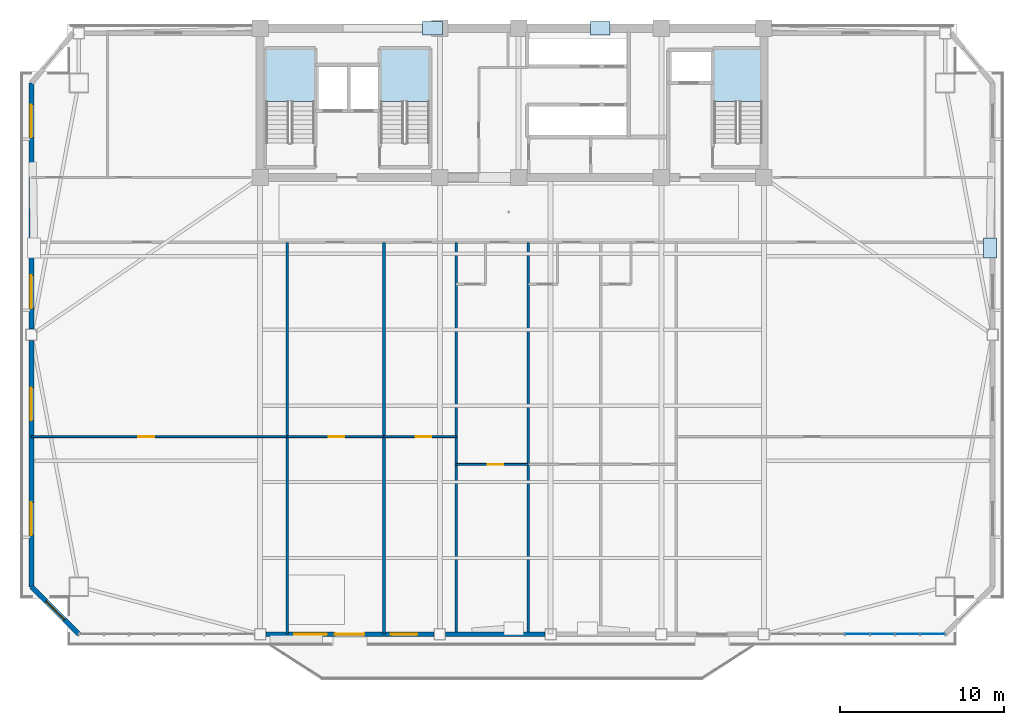
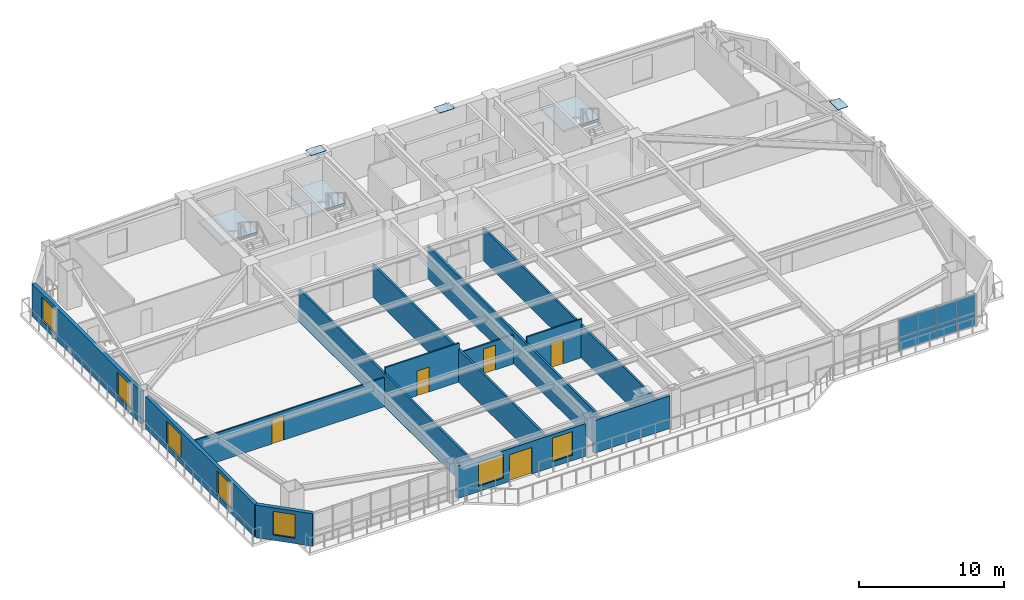
# One storey, part 7 of 15: 13 walls, 11 plates, 7 windows, 5 doors, 3 slabs, 12 openings, 4 elements without a shape of their own.
"""IFC4 building model written with IfcOpenShell, lengths in metres."""

from ifc_helpers import new_model, si_unit, direction, frame, frame_2d, origin, origin_2d, place, context, subcontext, project, spatial, polyline, rectangle, outline, extrude, source, transform, mapped, material, layer, layer_set, type_object, element, fill, aggregate, save


model = new_model("IFC4")

# Units and contexts
model_context = context("Model", 3, precision=1e-05, world=origin(), true_north=direction((0.0, 1.0)))
body_context = subcontext(model_context, "Body", "Model", "MODEL_VIEW")
ifc_project = project(units=[si_unit("LENGTHUNIT", "METRE"), si_unit("AREAUNIT", "SQUARE_METRE"), si_unit("VOLUMEUNIT", "CUBIC_METRE"), si_unit("PLANEANGLEUNIT", "RADIAN"), si_unit("MASSUNIT", "GRAM", prefix="KILO")], contexts=[model_context])

# Site, building, storey
site_placement = place(None, origin())
site = spatial("IfcSite", under=ifc_project, at=site_placement, CompositionType="ELEMENT")
building_placement = place(site_placement, origin())
building = spatial("IfcBuilding", under=site, at=building_placement, Name="Giltprow Tower", CompositionType="ELEMENT")
storey_placement = place(building_placement, frame((0.0, 0.0, 173.699951171875)))
storey = spatial("IfcBuildingStorey", under=building, at=storey_placement, Name="L43", CompositionType="ELEMENT", Elevation=173.699951171875)

# Stair, slab
ifc_material_1 = material(Name="Concrete C40", Category="concrete")
stair_type_1 = type_object("IfcStairType", Name="STR-ST-1", PredefinedType="HALF_TURN_STAIR", material=ifc_material_1)
stair_1_placement = place(storey_placement, origin())
stair_1 = element("IfcStair", 1, at=stair_1_placement, inside=storey, type_object=stair_type_1, Name="L43 Core Exit Stair ST-1", PredefinedType="HALF_TURN_STAIR")
ifc_layer_1 = layer(ifc_material_1, 0.179931640625, Name="Concrete C40")
ifc_layer_set_1 = layer_set([ifc_layer_1], Name="Concrete C40")
slab_type_1 = type_object("IfcSlabType", Name="SLD-ST-1", PredefinedType="LANDING", material=ifc_layer_set_1)
slab_1_placement = place(storey_placement, frame((0.0, 0.0, 1.570068359375)))
slab_1 = element("IfcSlab", 2, at=slab_1_placement, type_object=slab_type_1, Name="ST-1 landing 1", PredefinedType="LANDING", context=body_context, shape_type="SweptSolid", body=[
    extrude(outline(polyline([(23.159912109375, 42.070068359375), (23.159912109375, 45.25), (20.199951171875, 45.25), (20.199951171875, 42.070068359375), (23.159912109375, 42.070068359375)])), origin(), (0.0, 0.0, 1.0), 0.179931640625),
])
aggregate(stair_1, [slab_1])

stair_type_2 = type_object("IfcStairType", Name="STR-ST-2", PredefinedType="HALF_TURN_STAIR", material=ifc_material_1)
stair_2_placement = place(storey_placement, origin())
stair_2 = element("IfcStair", 3, at=stair_2_placement, inside=storey, type_object=stair_type_2, Name="L43 Core Exit Stair ST-2", PredefinedType="HALF_TURN_STAIR")
ifc_layer_2 = layer(ifc_material_1, 0.18798828125, Name="Concrete C40")
ifc_layer_set_2 = layer_set([ifc_layer_2], Name="Concrete C40")
slab_type_2 = type_object("IfcSlabType", Name="SLD-ST-2", PredefinedType="LANDING", material=ifc_layer_set_2)
slab_2_placement = place(storey_placement, frame((0.0, 0.0, 1.56201171875)))
slab_2 = element("IfcSlab", 4, at=slab_2_placement, type_object=slab_type_2, Name="ST-2 landing 1", PredefinedType="LANDING", context=body_context, shape_type="SweptSolid", body=[
    extrude(outline(polyline([(30.159912109375, 42.070068359375), (30.159912109375, 45.25), (27.199951171875, 45.25), (27.199951171875, 42.070068359375), (30.159912109375, 42.070068359375)])), origin(), (0.0, 0.0, 1.0), 0.18798828125),
])
aggregate(stair_2, [slab_2])

stair_type_3 = type_object("IfcStairType", Name="STR-ST-3", PredefinedType="HALF_TURN_STAIR", material=ifc_material_1)
stair_3_placement = place(storey_placement, origin())
stair_3 = element("IfcStair", 5, at=stair_3_placement, inside=storey, type_object=stair_type_3, Name="L43 Core Exit Stair ST-3", PredefinedType="HALF_TURN_STAIR")
ifc_layer_3 = layer(ifc_material_1, 0.196044921875, Name="Concrete C40")
ifc_layer_set_3 = layer_set([ifc_layer_3], Name="Concrete C40")
slab_type_3 = type_object("IfcSlabType", Name="SLD-ST-3", PredefinedType="LANDING", material=ifc_layer_set_3)
slab_3_placement = place(storey_placement, frame((0.0, 0.0, 1.553955078125)))
slab_3 = element("IfcSlab", 6, at=slab_3_placement, type_object=slab_type_3, Name="ST-3 landing 1", PredefinedType="LANDING", context=body_context, shape_type="SweptSolid", body=[
    extrude(outline(polyline([(50.4599609375, 42.070068359375), (50.4599609375, 45.25), (47.5, 45.25), (47.5, 42.070068359375), (50.4599609375, 42.070068359375)])), origin(), (0.0, 0.0, 1.0), 0.196044921875),
])
aggregate(stair_3, [slab_3])

# Plates
ifc_material_2 = material(Name="Structural steel Q420GJC", Category="steel")
plate_type_1 = type_object("IfcPlateType", Name="PLT-CAP-SEAL", PredefinedType="USERDEFINED", material=ifc_material_2)
shared_shape_1 = source(origin(), body_context, "Body", "SweptSolid", [
    extrude(rectangle(XDim=1.199951171875, YDim=0.800048828125, at=origin_2d()), origin(), (0.0, 0.0, 1.0), 0.034912109375),
])
for number, where, z_axis, x_axis, name in (
    (7, (30.35009765625, 46.550048828125, 3.3427734375), (0.0, 0.0, 1.0), (1.0, 0.0, 0.0), "Mega-Brace Node L43-N-LB"),
    (8, (40.5830078125, 46.550048828125, 3.3427734375), (0.0, 0.0, 1.0), (1.0, 0.0, 0.0), "Mega-Brace Node L43-N-RB"),
    (9, (64.324951171875, 33.156005859375, 3.482421875), (0.0, 0.0, 1.0), (0.0, 1.0, 0.0), "Mega-Brace Node L43-E-RB"),
):
    element("IfcPlate", number, at=place(storey_placement, frame(where, z_axis=z_axis, x_axis=x_axis)), inside=storey, type_object=plate_type_1, Name=name, ObjectType="SPLICE", PredefinedType="USERDEFINED", context=body_context, shape_type="MappedRepresentation", body=[
        mapped(shared_shape_1, transform((0.0, 0.0, 0.0), x_axis=(1.0, 0.0, 0.0), y_axis=(0.0, 1.0, 0.0), z_axis=(0.0, 0.0, 1.0), scale=1.0)),
    ])

# Curtain wall, plates
ifc_material_3 = material(Name="Anodized bronze", Category="metal")
ifc_layer_4 = layer(ifc_material_3, 0.179931640625, Name="Anodized bronze")
ifc_layer_set_4 = layer_set([ifc_layer_4], Name="Anodized bronze")
curtain_wall_type = type_object("IfcCurtainWallType", Name="CW-HTL-BRONZE", PredefinedType="NOTDEFINED", material=ifc_layer_set_4)
curtain_wall_placement = place(storey_placement, origin())
curtain_wall = element("IfcCurtainWall", 10, at=curtain_wall_placement, inside=storey, type_object=curtain_wall_type, Name="L43 South Recessed Curtain Wall 6", PredefinedType="NOTDEFINED")
ifc_material_4 = material(Name="Insulated glass", Category="glass")
plate_type_2 = type_object("IfcPlateType", Name="CW-PANEL-IGU-28", PredefinedType="CURTAIN_PANEL", material=ifc_material_4)
shared_shape_2 = source(origin(), body_context, "Body", "SweptSolid", [
    extrude(rectangle(XDim=1.498046875, YDim=0.028076171875, at=origin_2d()), origin(), (0.0, 0.0, 1.0), 1.0869140625),
])
plate_1_placement = place(storey_placement, frame((56.2470703125, 9.6259765625, 0.0546875), z_axis=(0.0, 0.0, 1.0), x_axis=(1.0, 0.0, 0.0)))
plate_1 = element("IfcPlate", 11, at=plate_1_placement, type_object=plate_type_2, Name="L43 South Recessed Curtain Wall 6 Glazing Panel 4-1", PredefinedType="CURTAIN_PANEL", context=body_context, shape_type="MappedRepresentation", body=[
    mapped(shared_shape_2, transform((0.0, 0.0, 0.0), x_axis=(1.0, 0.0, 0.0), y_axis=(0.0, 1.0, 0.0), z_axis=(0.0, 0.0, 1.0), scale=1.0)),
])
plate_2_placement = place(storey_placement, frame((57.77490234375, 9.6259765625, 0.0546875), z_axis=(0.0, 0.0, 1.0), x_axis=(1.0, 0.0, 0.0)))
plate_2 = element("IfcPlate", 12, at=plate_2_placement, type_object=plate_type_2, Name="L43 South Recessed Curtain Wall 6 Glazing Panel 5-1", PredefinedType="CURTAIN_PANEL", context=body_context, shape_type="MappedRepresentation", body=[
    mapped(shared_shape_2, transform((0.0, 0.0, 0.0), x_axis=(1.0, 0.0, 0.0), y_axis=(0.0, 1.0, 0.0), z_axis=(0.0, 0.0, 1.0), scale=1.0)),
])
plate_3_placement = place(storey_placement, frame((59.302001953125, 9.6259765625, 0.0546875), z_axis=(0.0, 0.0, 1.0), x_axis=(1.0, 0.0, 0.0)))
plate_3 = element("IfcPlate", 13, at=plate_3_placement, type_object=plate_type_2, Name="L43 South Recessed Curtain Wall 6 Glazing Panel 6-1", PredefinedType="CURTAIN_PANEL", context=body_context, shape_type="MappedRepresentation", body=[
    mapped(shared_shape_2, transform((0.0, 0.0, 0.0), x_axis=(1.0, 0.0, 0.0), y_axis=(0.0, 1.0, 0.0), z_axis=(0.0, 0.0, 1.0), scale=1.0)),
])
plate_4_placement = place(storey_placement, frame((60.830078125, 9.6259765625, 0.0546875), z_axis=(0.0, 0.0, 1.0), x_axis=(1.0, 0.0, 0.0)))
plate_4 = element("IfcPlate", 14, at=plate_4_placement, type_object=plate_type_2, Name="L43 South Recessed Curtain Wall 6 Glazing Panel 7-1", PredefinedType="CURTAIN_PANEL", context=body_context, shape_type="MappedRepresentation", body=[
    mapped(shared_shape_2, transform((0.0, 0.0, 0.0), x_axis=(1.0, 0.0, 0.0), y_axis=(0.0, 1.0, 0.0), z_axis=(0.0, 0.0, 1.0), scale=1.0)),
])
shared_shape_3 = source(origin(), body_context, "Body", "SweptSolid", [
    extrude(rectangle(XDim=1.498046875, YDim=0.028076171875, at=origin_2d()), origin(), (0.0, 0.0, 1.0), 1.527099609375),
])
plate_5_placement = place(storey_placement, frame((56.2470703125, 9.6259765625, 1.16845703125), z_axis=(0.0, 0.0, 1.0), x_axis=(1.0, 0.0, 0.0)))
plate_5 = element("IfcPlate", 15, at=plate_5_placement, type_object=plate_type_2, Name="L43 South Recessed Curtain Wall 6 Glazing Panel 4-2", PredefinedType="CURTAIN_PANEL", context=body_context, shape_type="MappedRepresentation", body=[
    mapped(shared_shape_3, transform((0.0, 0.0, 0.0), x_axis=(1.0, 0.0, 0.0), y_axis=(0.0, 1.0, 0.0), z_axis=(0.0, 0.0, 1.0), scale=1.0)),
])
plate_6_placement = place(storey_placement, frame((57.77490234375, 9.6259765625, 1.16845703125), z_axis=(0.0, 0.0, 1.0), x_axis=(1.0, 0.0, 0.0)))
plate_6 = element("IfcPlate", 16, at=plate_6_placement, type_object=plate_type_2, Name="L43 South Recessed Curtain Wall 6 Glazing Panel 5-2", PredefinedType="CURTAIN_PANEL", context=body_context, shape_type="MappedRepresentation", body=[
    mapped(shared_shape_3, transform((0.0, 0.0, 0.0), x_axis=(1.0, 0.0, 0.0), y_axis=(0.0, 1.0, 0.0), z_axis=(0.0, 0.0, 1.0), scale=1.0)),
])
plate_7_placement = place(storey_placement, frame((59.302001953125, 9.6259765625, 1.16845703125), z_axis=(0.0, 0.0, 1.0), x_axis=(1.0, 0.0, 0.0)))
plate_7 = element("IfcPlate", 17, at=plate_7_placement, type_object=plate_type_2, Name="L43 South Recessed Curtain Wall 6 Glazing Panel 6-2", PredefinedType="CURTAIN_PANEL", context=body_context, shape_type="MappedRepresentation", body=[
    mapped(shared_shape_3, transform((0.0, 0.0, 0.0), x_axis=(1.0, 0.0, 0.0), y_axis=(0.0, 1.0, 0.0), z_axis=(0.0, 0.0, 1.0), scale=1.0)),
])
plate_8_placement = place(storey_placement, frame((60.830078125, 9.6259765625, 1.16845703125), z_axis=(0.0, 0.0, 1.0), x_axis=(1.0, 0.0, 0.0)))
plate_8 = element("IfcPlate", 18, at=plate_8_placement, type_object=plate_type_2, Name="L43 South Recessed Curtain Wall 6 Glazing Panel 7-2", PredefinedType="CURTAIN_PANEL", context=body_context, shape_type="MappedRepresentation", body=[
    mapped(shared_shape_3, transform((0.0, 0.0, 0.0), x_axis=(1.0, 0.0, 0.0), y_axis=(0.0, 1.0, 0.0), z_axis=(0.0, 0.0, 1.0), scale=1.0)),
])
aggregate(curtain_wall, [plate_1, plate_5, plate_2, plate_6, plate_3, plate_7, plate_4, plate_8])

# Wall, opening, window
ifc_material_5 = material(Name="Precast concrete C40", Category="concrete")
ifc_layer_5 = layer(ifc_material_5, 0.300048828125, Name="Precast concrete C40")
ifc_layer_set_5 = layer_set([ifc_layer_5], Name="Precast concrete C40")
wall_type_1 = type_object("IfcWallType", Name="EW-NOTCH-CHAMFER-300", PredefinedType="SOLIDWALL", material=ifc_layer_set_5)
wall_1_placement = place(storey_placement, frame((5.9189453125, 12.512939453125, 0.0), z_axis=(0.0, 0.0, 1.0), x_axis=(0.707106781187, -0.707106781187, 0.0)))
wall_1 = element("IfcWall", 19, at=wall_1_placement, inside=storey, type_object=wall_type_1, Name="L43 Corner Notch Wall SW", PredefinedType="SOLIDWALL", context=body_context, shape_type="SweptSolid", body=[
    extrude(rectangle(XDim=4.082763671875, YDim=0.300048828125, at=frame_2d((2.04150390625, 0.0))), origin(), (0.0, 0.0, 1.0), 2.75),
])
opening_1_placement = place(wall_1_placement, frame((1.240966796875, 0.0, 0.449951171875)))
opening_1 = element("IfcOpeningElement", 20, at=opening_1_placement, cuts=wall_1, Name="Opening WN17", PredefinedType="OPENING", context=body_context, shape_type="SweptSolid", body=[
    extrude(rectangle(XDim=1.60009765625, YDim=2.0, at=frame_2d((0.800048828125, 1.0))), frame((0.0, 0.159912109375, 0.0), z_axis=(0.0, -1.0, 0.0), x_axis=(1.0, 0.0, 0.0)), (0.0, 0.0, 1.0), 0.320068359375),
])
window_type_1 = type_object("IfcWindowType", Name="WN-COR-1600x2000", PartitioningType="SINGLE_PANEL", PredefinedType="WINDOW", material=ifc_material_4)
shared_shape_4 = source(origin(), body_context, "Body", "SweptSolid", [
    extrude(rectangle(XDim=1.60009765625, YDim=2.0, at=frame_2d((0.800048828125, 1.0))), frame((0.0, 0.030029296875, 0.0), z_axis=(0.0, -1.0, 0.0), x_axis=(1.0, 0.0, 0.0)), (0.0, 0.0, 1.0), 0.06005859375),
])
window_1_placement = place(opening_1_placement, origin())
window_1 = element("IfcWindow", 21, at=window_1_placement, inside=storey, type_object=window_type_1, Name="L43 Corner Notch Window SW", OverallHeight=2.0, OverallWidth=1.60009765625, PartitioningType="SINGLE_PANEL", PredefinedType="WINDOW", context=body_context, shape_type="MappedRepresentation", body=[
    mapped(shared_shape_4, transform((0.0, 0.0, 0.0), x_axis=(1.0, 0.0, 0.0), y_axis=(0.0, 1.0, 0.0), z_axis=(0.0, 0.0, 1.0), scale=1.0)),
])
fill(opening_1, window_1)

# Wall, openings, windows, door
ifc_layer_6 = layer(ifc_material_5, 0.280029296875, Name="Precast concrete C40")
ifc_layer_set_6 = layer_set([ifc_layer_6], Name="Precast concrete C40")
wall_type_2 = type_object("IfcWallType", Name="EW-TOW-BRONZE-280", PredefinedType="SOLIDWALL", material=ifc_layer_set_6)
wall_2_placement = place(storey_placement, frame((20.199951171875, 9.6259765625, 0.0), z_axis=(0.0, 0.0, 1.0), x_axis=(1.0, 0.0, 0.0)))
wall_2 = element("IfcWall", 22, at=wall_2_placement, inside=storey, type_object=wall_type_2, Name="L43 South Expressed Frame Wall 2", PredefinedType="SOLIDWALL", context=body_context, shape_type="SweptSolid", body=[
    extrude(rectangle(XDim=10.25, YDim=0.280029296875, at=frame_2d((5.125, 0.0))), origin(), (0.0, 0.0, 1.0), 2.75),
])
opening_2_placement = place(wall_2_placement, frame((4.199951171875, 0.0, 0.0)))
opening_2 = element("IfcOpeningElement", 23, at=opening_2_placement, cuts=wall_2, Name="Opening ED25", PredefinedType="OPENING", context=body_context, shape_type="SweptSolid", body=[
    extrude(rectangle(XDim=1.800048828125, YDim=2.25, at=frame_2d((0.89990234375, 1.125))), frame((0.0, 0.14990234375, 0.0), z_axis=(0.0, -1.0, 0.0), x_axis=(1.0, 0.0, 0.0)), (0.0, 0.0, 1.0), 0.300048828125),
])
opening_3_placement = place(wall_2_placement, frame((1.719970703125, 0.0, 0.449951171875)))
opening_3 = element("IfcOpeningElement", 24, at=opening_3_placement, cuts=wall_2, Name="Opening WN21", PredefinedType="OPENING", context=body_context, shape_type="SweptSolid", body=[
    extrude(rectangle(XDim=2.0, YDim=2.0, at=frame_2d((1.0, 1.0))), frame((0.0, 0.14990234375, 0.0), z_axis=(0.0, -1.0, 0.0), x_axis=(1.0, 0.0, 0.0)), (0.0, 0.0, 1.0), 0.300048828125),
])
opening_4_placement = place(wall_2_placement, frame((7.6201171875, 0.0, 0.449951171875)))
opening_4 = element("IfcOpeningElement", 25, at=opening_4_placement, cuts=wall_2, Name="Opening WN17", PredefinedType="OPENING", context=body_context, shape_type="SweptSolid", body=[
    extrude(rectangle(XDim=1.60009765625, YDim=2.0, at=frame_2d((0.800048828125, 1.0))), frame((0.0, 0.14990234375, 0.0), z_axis=(0.0, -1.0, 0.0), x_axis=(1.0, 0.0, 0.0)), (0.0, 0.0, 1.0), 0.300048828125),
])
window_2_placement = place(opening_4_placement, origin())
window_2 = element("IfcWindow", 26, at=window_2_placement, inside=storey, type_object=window_type_1, Name="L43 South Window 2B", OverallHeight=2.0, OverallWidth=1.60009765625, PartitioningType="SINGLE_PANEL", PredefinedType="WINDOW", context=body_context, shape_type="MappedRepresentation", body=[
    mapped(shared_shape_4, transform((0.0, 0.0, 0.0), x_axis=(1.0, 0.0, 0.0), y_axis=(0.0, 1.0, 0.0), z_axis=(0.0, 0.0, 1.0), scale=1.0)),
])
fill(opening_4, window_2)
ifc_material_6 = material(Name="Anodized bronze and glass", Category="glass")
door_type_1 = type_object("IfcDoorType", Name="DR-BALC-SLIDE-1800", OperationType="SLIDING_TO_LEFT", PredefinedType="DOOR", material=ifc_material_6)
shared_shape_5 = source(origin(), body_context, "Body", "SweptSolid", [
    extrude(rectangle(XDim=1.800048828125, YDim=2.25, at=frame_2d((0.89990234375, 1.125))), frame((0.0, 0.02490234375, 0.0), z_axis=(0.0, -1.0, 0.0), x_axis=(1.0, 0.0, 0.0)), (0.0, 0.0, 1.0), 0.050048828125),
])
door_1_placement = place(opening_2_placement, origin())
door_1 = element("IfcDoor", 27, at=door_1_placement, inside=storey, type_object=door_type_1, Name="L43 Waterfront Balcony Sliding Door 1", OperationType="SLIDING_TO_LEFT", OverallHeight=2.25, OverallWidth=1.800048828125, PredefinedType="DOOR", context=body_context, shape_type="MappedRepresentation", body=[
    mapped(shared_shape_5, transform((0.0, 0.0, 0.0), x_axis=(1.0, 0.0, 0.0), y_axis=(0.0, 1.0, 0.0), z_axis=(0.0, 0.0, 1.0), scale=1.0)),
])
fill(opening_2, door_1)
window_type_2 = type_object("IfcWindowType", Name="WN-HTL-2000x2000", PartitioningType="DOUBLE_PANEL_VERTICAL", PredefinedType="WINDOW", material=ifc_material_4)
shared_shape_6 = source(origin(), body_context, "Body", "SweptSolid", [
    extrude(rectangle(XDim=2.0, YDim=2.0, at=frame_2d((1.0, 1.0))), frame((0.0, 0.030029296875, 0.0), z_axis=(0.0, -1.0, 0.0), x_axis=(1.0, 0.0, 0.0)), (0.0, 0.0, 1.0), 0.06005859375),
])
window_3_placement = place(opening_3_placement, origin())
window_3 = element("IfcWindow", 28, at=window_3_placement, inside=storey, type_object=window_type_2, Name="L43 South Window 2A", OverallHeight=2.0, OverallWidth=2.0, PartitioningType="SINGLE_PANEL", PredefinedType="WINDOW", context=body_context, shape_type="MappedRepresentation", body=[
    mapped(shared_shape_6, transform((0.0, 0.0, 0.0), x_axis=(1.0, 0.0, 0.0), y_axis=(0.0, 1.0, 0.0), z_axis=(0.0, 0.0, 1.0), scale=1.0)),
])
fill(opening_3, window_3)

# Wall
wall_3_placement = place(storey_placement, frame((31.14990234375, 9.6259765625, 0.0), z_axis=(0.0, 0.0, 1.0), x_axis=(1.0, 0.0, 0.0)))
element("IfcWall", 29, at=wall_3_placement, inside=storey, type_object=wall_type_2, Name="L43 South Expressed Frame Wall 3", PredefinedType="SOLIDWALL", context=body_context, shape_type="SweptSolid", body=[
    extrude(rectangle(XDim=6.050048828125, YDim=0.280029296875, at=frame_2d((3.02490234375, 0.0))), origin(), (0.0, 0.0, 1.0), 2.75),
])

# Wall, openings, windows
wall_4_placement = place(storey_placement, frame((5.9189453125, 12.512939453125, 0.0), z_axis=(0.0, 0.0, 1.0), x_axis=(0.0, 1.0, 0.0)))
wall_4 = element("IfcWall", 30, at=wall_4_placement, inside=storey, type_object=wall_type_2, Name="L43 W Wing Masonry Wall 1", PredefinedType="SOLIDWALL", context=body_context, shape_type="SweptSolid", body=[
    extrude(rectangle(XDim=15.0, YDim=0.280029296875, at=frame_2d((7.5, 0.0))), origin(), (0.0, 0.0, 1.0), 2.75),
])
opening_5_placement = place(wall_4_placement, frame((3.139892578125, 0.0, 0.449951171875)))
opening_5 = element("IfcOpeningElement", 31, at=opening_5_placement, cuts=wall_4, Name="Opening WN21", PredefinedType="OPENING", context=body_context, shape_type="SweptSolid", body=[
    extrude(rectangle(XDim=2.0, YDim=2.0, at=frame_2d((1.0, 1.0))), frame((0.0, 0.14990234375, 0.0), z_axis=(0.0, -1.0, 0.0), x_axis=(1.0, 0.0, 0.0)), (0.0, 0.0, 1.0), 0.300048828125),
])
opening_6_placement = place(wall_4_placement, frame((10.139892578125, 0.0, 0.449951171875)))
opening_6 = element("IfcOpeningElement", 32, at=opening_6_placement, cuts=wall_4, Name="Opening WN21", PredefinedType="OPENING", context=body_context, shape_type="SweptSolid", body=[
    extrude(rectangle(XDim=2.0, YDim=2.0, at=frame_2d((1.0, 1.0))), frame((0.0, 0.14990234375, 0.0), z_axis=(0.0, -1.0, 0.0), x_axis=(1.0, 0.0, 0.0)), (0.0, 0.0, 1.0), 0.300048828125),
])
window_4_placement = place(opening_5_placement, origin())
window_4 = element("IfcWindow", 33, at=window_4_placement, inside=storey, type_object=window_type_2, Name="L43 W Wing Window 1-1A", OverallHeight=2.0, OverallWidth=2.0, PartitioningType="SINGLE_PANEL", PredefinedType="WINDOW", context=body_context, shape_type="MappedRepresentation", body=[
    mapped(shared_shape_6, transform((0.0, 0.0, 0.0), x_axis=(1.0, 0.0, 0.0), y_axis=(0.0, 1.0, 0.0), z_axis=(0.0, 0.0, 1.0), scale=1.0)),
])
fill(opening_5, window_4)
window_5_placement = place(opening_6_placement, origin())
window_5 = element("IfcWindow", 34, at=window_5_placement, inside=storey, type_object=window_type_2, Name="L43 W Wing Window 1-1B", OverallHeight=2.0, OverallWidth=2.0, PartitioningType="SINGLE_PANEL", PredefinedType="WINDOW", context=body_context, shape_type="MappedRepresentation", body=[
    mapped(shared_shape_6, transform((0.0, 0.0, 0.0), x_axis=(1.0, 0.0, 0.0), y_axis=(0.0, 1.0, 0.0), z_axis=(0.0, 0.0, 1.0), scale=1.0)),
])
fill(opening_6, window_5)

wall_5_placement = place(storey_placement, frame((5.9189453125, 28.212890625, 0.0), z_axis=(0.0, 0.0, 1.0), x_axis=(0.0, 1.0, 0.0)))
wall_5 = element("IfcWall", 35, at=wall_5_placement, inside=storey, type_object=wall_type_2, Name="L43 W Wing Masonry Wall 2", PredefinedType="SOLIDWALL", context=body_context, shape_type="SweptSolid", body=[
    extrude(rectangle(XDim=15.0, YDim=0.280029296875, at=frame_2d((7.5, 0.0))), origin(), (0.0, 0.0, 1.0), 2.75),
])
opening_7_placement = place(wall_5_placement, frame((1.27099609375, 0.0, 0.449951171875)))
opening_7 = element("IfcOpeningElement", 36, at=opening_7_placement, cuts=wall_5, Name="Opening WN21", PredefinedType="OPENING", context=body_context, shape_type="SweptSolid", body=[
    extrude(rectangle(XDim=2.0, YDim=2.0, at=frame_2d((1.0, 1.0))), frame((0.0, 0.14990234375, 0.0), z_axis=(0.0, -1.0, 0.0), x_axis=(1.0, 0.0, 0.0)), (0.0, 0.0, 1.0), 0.300048828125),
])
opening_8_placement = place(wall_5_placement, frame((11.68505859375, 0.0, 0.449951171875)))
opening_8 = element("IfcOpeningElement", 37, at=opening_8_placement, cuts=wall_5, Name="Opening WN21", PredefinedType="OPENING", context=body_context, shape_type="SweptSolid", body=[
    extrude(rectangle(XDim=2.0, YDim=2.0, at=frame_2d((1.0, 1.0))), frame((0.0, 0.14990234375, 0.0), z_axis=(0.0, -1.0, 0.0), x_axis=(1.0, 0.0, 0.0)), (0.0, 0.0, 1.0), 0.300048828125),
])
window_6_placement = place(opening_7_placement, origin())
window_6 = element("IfcWindow", 38, at=window_6_placement, inside=storey, type_object=window_type_2, Name="L43 W Wing Window 2-1", OverallHeight=2.0, OverallWidth=2.0, PartitioningType="SINGLE_PANEL", PredefinedType="WINDOW", context=body_context, shape_type="MappedRepresentation", body=[
    mapped(shared_shape_6, transform((0.0, 0.0, 0.0), x_axis=(1.0, 0.0, 0.0), y_axis=(0.0, 1.0, 0.0), z_axis=(0.0, 0.0, 1.0), scale=1.0)),
])
fill(opening_7, window_6)
window_7_placement = place(opening_8_placement, origin())
window_7 = element("IfcWindow", 39, at=window_7_placement, inside=storey, type_object=window_type_2, Name="L43 W Wing Window 2-2", OverallHeight=2.0, OverallWidth=2.0, PartitioningType="SINGLE_PANEL", PredefinedType="WINDOW", context=body_context, shape_type="MappedRepresentation", body=[
    mapped(shared_shape_6, transform((0.0, 0.0, 0.0), x_axis=(1.0, 0.0, 0.0), y_axis=(0.0, 1.0, 0.0), z_axis=(0.0, 0.0, 1.0), scale=1.0)),
])
fill(opening_8, window_7)

# Walls
ifc_material_7 = material(Name="Gypsum stud partition", Category="gypsum")
ifc_layer_7 = layer(ifc_material_7, 0.159912109375, Name="Gypsum stud partition")
ifc_layer_set_7 = layer_set([ifc_layer_7], Name="Gypsum stud partition")
wall_type_3 = type_object("IfcWallType", Name="IW-DEMISE-160", PredefinedType="PARTITIONING", material=ifc_layer_set_7)
for number, where, z_axis, x_axis, name in (
    (40, (21.5, 9.6259765625, 0.0), (0.0, 0.0, 1.0), (0.0, 1.0, 0.0), "L43 Hotel Demising Wall 1"),
    (41, (27.39990234375, 9.6259765625, 0.0), (0.0, 0.0, 1.0), (0.0, 1.0, 0.0), "L43 Hotel Demising Wall 2"),
    (42, (31.800048828125, 9.6259765625, 0.0), (0.0, 0.0, 1.0), (0.0, 1.0, 0.0), "L43 Hotel Demising Wall 3"),
    (43, (36.199951171875, 9.6259765625, 0.0), (0.0, 0.0, 1.0), (0.0, 1.0, 0.0), "L43 Hotel Demising Wall 4"),
):
    element("IfcWall", number, at=place(storey_placement, frame(where, z_axis=z_axis, x_axis=x_axis)), inside=storey, type_object=wall_type_3, Name=name, PredefinedType="PARTITIONING", context=body_context, shape_type="SweptSolid", body=[
        extrude(rectangle(XDim=23.8740234375, YDim=0.159912109375, at=frame_2d((11.93701171875, 0.0))), origin(), (0.0, 0.0, 1.0), 2.755126953125),
    ])

# Wall, opening, door
ifc_layer_8 = layer(ifc_material_7, 0.1201171875, Name="Gypsum stud partition")
ifc_layer_set_8 = layer_set([ifc_layer_8], Name="Gypsum stud partition")
wall_type_4 = type_object("IfcWallType", Name="IW-ROOM-120", PredefinedType="PARTITIONING", material=ifc_layer_set_8)
wall_6_placement = place(storey_placement, frame((5.9189453125, 21.6630859375, 0.0), z_axis=(0.0, 0.0, 1.0), x_axis=(1.0, 0.0, 0.0)))
wall_6 = element("IfcWall", 44, at=wall_6_placement, inside=storey, type_object=wall_type_4, Name="L43 Amenity Mid Wall 1", PredefinedType="PARTITIONING", context=body_context, shape_type="SweptSolid", body=[
    extrude(rectangle(XDim=15.5810546875, YDim=0.1201171875, at=frame_2d((7.79052734375, 0.0))), origin(), (0.0, 0.0, 1.0), 2.455078125),
])
opening_9_placement = place(wall_6_placement, frame((6.51806640625, 0.0, 0.0)))
opening_9 = element("IfcOpeningElement", 45, at=opening_9_placement, cuts=wall_6, Name="Opening ID11", PredefinedType="OPENING", context=body_context, shape_type="SweptSolid", body=[
    extrude(rectangle(XDim=0.949951171875, YDim=2.10009765625, at=frame_2d((0.47509765625, 1.050048828125))), frame((0.0, 0.070068359375, 0.0), z_axis=(0.0, -1.0, 0.0), x_axis=(1.0, 0.0, 0.0)), (0.0, 0.0, 1.0), 0.14013671875),
])
ifc_material_8 = material(Name="Engineered timber", Category="wood")
door_type_2 = type_object("IfcDoorType", Name="DR-ROOM-950", OperationType="SINGLE_SWING_RIGHT", PredefinedType="DOOR", material=ifc_material_8)
shared_shape_7 = source(origin(), body_context, "Body", "SweptSolid", [
    extrude(rectangle(XDim=0.949951171875, YDim=2.10009765625, at=frame_2d((0.47509765625, 1.050048828125))), frame((0.0, 0.02490234375, 0.0), z_axis=(0.0, -1.0, 0.0), x_axis=(1.0, 0.0, 0.0)), (0.0, 0.0, 1.0), 0.050048828125),
])
door_2_placement = place(opening_9_placement, origin())
door_2 = element("IfcDoor", 46, at=door_2_placement, inside=storey, type_object=door_type_2, Name="L43 Diplomatic Meeting Room 1 Inner Door", OperationType="SINGLE_SWING_RIGHT", OverallHeight=2.10009765625, OverallWidth=0.949951171875, PredefinedType="DOOR", context=body_context, shape_type="MappedRepresentation", body=[
    mapped(shared_shape_7, transform((0.0, 0.0, 0.0), x_axis=(1.0, 0.0, 0.0), y_axis=(0.0, 1.0, 0.0), z_axis=(0.0, 0.0, 1.0), scale=1.0)),
])
fill(opening_9, door_2)

wall_7_placement = place(storey_placement, frame((21.5, 21.6630859375, 0.0), z_axis=(0.0, 0.0, 1.0), x_axis=(1.0, 0.0, 0.0)))
wall_7 = element("IfcWall", 47, at=wall_7_placement, inside=storey, type_object=wall_type_4, Name="L43 Amenity Mid Wall 2", PredefinedType="PARTITIONING", context=body_context, shape_type="SweptSolid", body=[
    extrude(rectangle(XDim=5.89990234375, YDim=0.1201171875, at=frame_2d((2.949951171875, 0.0))), origin(), (0.0, 0.0, 1.0), 3.27001953125),
])
opening_10_placement = place(wall_7_placement, frame((2.52587890625, 0.0, 0.0)))
opening_10 = element("IfcOpeningElement", 48, at=opening_10_placement, cuts=wall_7, Name="Opening ID11", PredefinedType="OPENING", context=body_context, shape_type="SweptSolid", body=[
    extrude(rectangle(XDim=0.949951171875, YDim=2.10009765625, at=frame_2d((0.47509765625, 1.050048828125))), frame((0.0, 0.070068359375, 0.0), z_axis=(0.0, -1.0, 0.0), x_axis=(1.0, 0.0, 0.0)), (0.0, 0.0, 1.0), 0.14013671875),
])
door_3_placement = place(opening_10_placement, origin())
door_3 = element("IfcDoor", 49, at=door_3_placement, inside=storey, type_object=door_type_2, Name="L43 Boardroom Meeting Room 2 Inner Door", OperationType="SINGLE_SWING_RIGHT", OverallHeight=2.10009765625, OverallWidth=0.949951171875, PredefinedType="DOOR", context=body_context, shape_type="MappedRepresentation", body=[
    mapped(shared_shape_7, transform((0.0, 0.0, 0.0), x_axis=(1.0, 0.0, 0.0), y_axis=(0.0, 1.0, 0.0), z_axis=(0.0, 0.0, 1.0), scale=1.0)),
])
fill(opening_10, door_3)

wall_8_placement = place(storey_placement, frame((27.39990234375, 21.6630859375, 0.0), z_axis=(0.0, 0.0, 1.0), x_axis=(1.0, 0.0, 0.0)))
wall_8 = element("IfcWall", 50, at=wall_8_placement, inside=storey, type_object=wall_type_4, Name="L43 Amenity Mid Wall 3", PredefinedType="PARTITIONING", context=body_context, shape_type="SweptSolid", body=[
    extrude(rectangle(XDim=4.400146484375, YDim=0.1201171875, at=frame_2d((2.2001953125, 0.0))), origin(), (0.0, 0.0, 1.0), 2.455078125),
])
opening_11_placement = place(wall_8_placement, frame((1.926025390625, 0.0, 0.0)))
opening_11 = element("IfcOpeningElement", 51, at=opening_11_placement, cuts=wall_8, Name="Opening ID11", PredefinedType="OPENING", context=body_context, shape_type="SweptSolid", body=[
    extrude(rectangle(XDim=0.949951171875, YDim=2.10009765625, at=frame_2d((0.47509765625, 1.050048828125))), frame((0.0, 0.070068359375, 0.0), z_axis=(0.0, -1.0, 0.0), x_axis=(1.0, 0.0, 0.0)), (0.0, 0.0, 1.0), 0.14013671875),
])
door_4_placement = place(opening_11_placement, origin())
door_4 = element("IfcDoor", 52, at=door_4_placement, inside=storey, type_object=door_type_2, Name="L43 Seminar Meeting Room 3 Inner Door", OperationType="SINGLE_SWING_RIGHT", OverallHeight=2.10009765625, OverallWidth=0.949951171875, PredefinedType="DOOR", context=body_context, shape_type="MappedRepresentation", body=[
    mapped(shared_shape_7, transform((0.0, 0.0, 0.0), x_axis=(1.0, 0.0, 0.0), y_axis=(0.0, 1.0, 0.0), z_axis=(0.0, 0.0, 1.0), scale=1.0)),
])
fill(opening_11, door_4)

wall_9_placement = place(storey_placement, frame((31.800048828125, 19.966064453125, 0.0), z_axis=(0.0, 0.0, 1.0), x_axis=(1.0, 0.0, 0.0)))
wall_9 = element("IfcWall", 53, at=wall_9_placement, inside=storey, type_object=wall_type_4, Name="L43 Suite Parlour Divider 4", PredefinedType="PARTITIONING", context=body_context, shape_type="SweptSolid", body=[
    extrude(rectangle(XDim=4.39990234375, YDim=0.1201171875, at=frame_2d((2.199951171875, 0.0))), origin(), (0.0, 0.0, 1.0), 3.27001953125),
])
opening_12_placement = place(wall_9_placement, frame((1.925048828125, 0.0, 0.0)))
opening_12 = element("IfcOpeningElement", 54, at=opening_12_placement, cuts=wall_9, Name="Opening ID11", PredefinedType="OPENING", context=body_context, shape_type="SweptSolid", body=[
    extrude(rectangle(XDim=0.949951171875, YDim=2.10009765625, at=frame_2d((0.47509765625, 1.050048828125))), frame((0.0, 0.070068359375, 0.0), z_axis=(0.0, -1.0, 0.0), x_axis=(1.0, 0.0, 0.0)), (0.0, 0.0, 1.0), 0.14013671875),
])
door_5_placement = place(opening_12_placement, origin())
door_5 = element("IfcDoor", 55, at=door_5_placement, inside=storey, type_object=door_type_2, Name="L43 Harbour Parlour 4 Door", OperationType="SINGLE_SWING_LEFT", OverallHeight=2.10009765625, OverallWidth=0.949951171875, PredefinedType="DOOR", context=body_context, shape_type="MappedRepresentation", body=[
    mapped(shared_shape_7, transform((0.0, 0.0, 0.0), x_axis=(1.0, 0.0, 0.0), y_axis=(0.0, 1.0, 0.0), z_axis=(0.0, 0.0, 1.0), scale=1.0)),
])
fill(opening_12, door_5)

save(model, "model.ifc")
